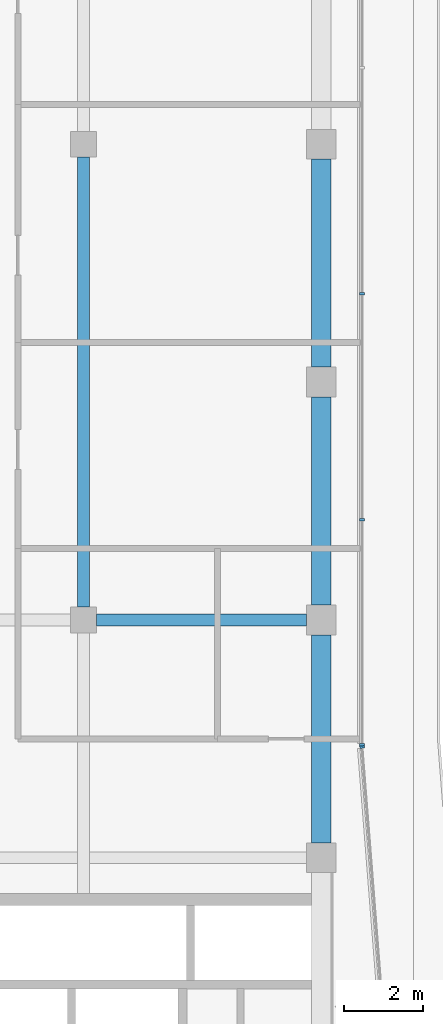
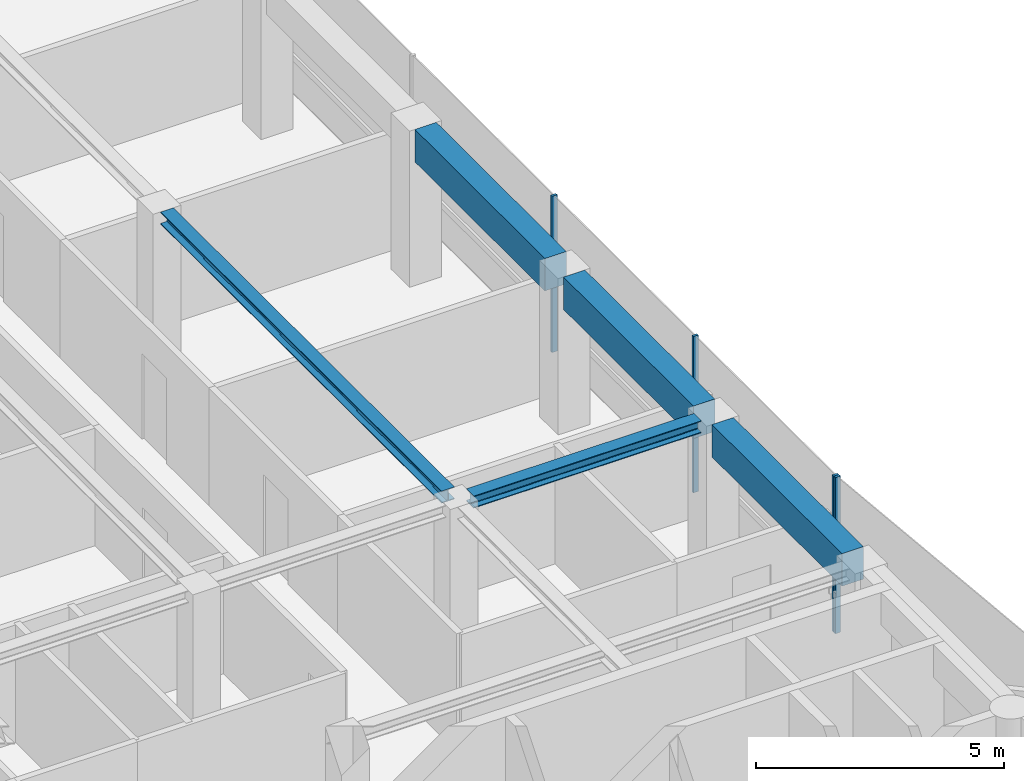
# One storey, part 8 of 23: 5 beams, 4 members, 2 elements without a shape of their own.
"""IFC4 building model written with IfcOpenShell, lengths in metres."""

from ifc_helpers import new_model, si_unit, direction, frame, origin, origin_2d, place, context, subcontext, project, spatial, rectangle, i_section, extrude, material, layer, layer_set, material_profile, profile_set, type_object, element, aggregate, save


model = new_model("IFC4")

# Units and contexts
model_context = context("Model", 3, precision=1e-05, world=origin(), true_north=direction((0.0, 1.0)))
body_context = subcontext(model_context, "Body", "Model", "MODEL_VIEW")
ifc_project = project(units=[si_unit("LENGTHUNIT", "METRE"), si_unit("AREAUNIT", "SQUARE_METRE"), si_unit("VOLUMEUNIT", "CUBIC_METRE"), si_unit("PLANEANGLEUNIT", "RADIAN"), si_unit("MASSUNIT", "GRAM", prefix="KILO")], contexts=[model_context])

# Site, building, storey
site_placement = place(None, origin())
site = spatial("IfcSite", under=ifc_project, at=site_placement, CompositionType="ELEMENT")
building_placement = place(site_placement, origin())
building = spatial("IfcBuilding", under=site, at=building_placement, Name="Welwitschia Terrace Campus", CompositionType="ELEMENT")
storey_placement = place(building_placement, frame((0.0, 0.0, 306.199951171875)))
storey = spatial("IfcBuildingStorey", under=building, at=storey_placement, Name="L68", CompositionType="ELEMENT", Elevation=306.199951171875)

# Beams
ifc_material_1 = material(Name="Steel S355", Category="steel")
ifc_material_profile_1 = material_profile(ifc_material_1, i_section(OverallWidth=0.300048828125, OverallDepth=0.300048828125, WebThickness=0.010986328125, FlangeThickness=0.01904296875, FilletRadius=0.027099609375, at=origin_2d()))
ifc_profile_set_1 = profile_set([ifc_material_profile_1], Name="Steel S355")
beam_type_1 = type_object("IfcBeamType", Name="Interior girder HE 300 B", PredefinedType="BEAM", material=ifc_profile_set_1)
beam_1_placement = place(storey_placement, frame((18.325439453125, 32.0, 3.699951171875), z_axis=(1.0, 0.0, 0.0), x_axis=(0.0, 1.0, 0.0)))
element("IfcBeam", 1, at=beam_1_placement, inside=storey, type_object=beam_type_1, Name="Girder GB6", PredefinedType="BEAM", context=body_context, shape_type="SweptSolid", body=[
    extrude(i_section(OverallWidth=0.300048828125, OverallDepth=0.300048828125, WebThickness=0.010986328125, FlangeThickness=0.01904296875, FilletRadius=0.027099609375, at=origin_2d()), origin(), (0.0, 0.0, 1.0), 5.30908203125),
])
beam_2_placement = place(storey_placement, frame((18.0, 32.325439453125, 3.699951171875), z_axis=(0.0, 1.0, 0.0), x_axis=(-1.0, 0.0, 0.0)))
element("IfcBeam", 2, at=beam_2_placement, inside=storey, type_object=beam_type_1, Name="Girder GB6", PredefinedType="BEAM", context=body_context, shape_type="SweptSolid", body=[
    extrude(i_section(OverallWidth=0.300048828125, OverallDepth=0.300048828125, WebThickness=0.010986328125, FlangeThickness=0.01904296875, FilletRadius=0.027099609375, at=origin_2d()), origin(), (0.0, 0.0, 1.0), 11.34912109375),
])

# Curtain wall, member
ifc_material_2 = material(Name="Bronze anodised aluminium", Category="aluminium")
ifc_layer = layer(ifc_material_2, 0.1201171875)
ifc_layer_set = layer_set([ifc_layer], Name="Bronze anodised aluminium")
curtain_wall_type = type_object("IfcCurtainWallType", Name="Curtain wall CW2 tower 6000", PredefinedType="NOTDEFINED", material=ifc_layer_set)
curtain_wall_1_placement = place(storey_placement, origin())
curtain_wall_1 = element("IfcCurtainWall", 3, at=curtain_wall_1_placement, inside=storey, type_object=curtain_wall_type, Name="CW L68.6.0", PredefinedType="NOTDEFINED")
ifc_material_3 = material(Name="Bronze anodised aluminium", Category="aluminium")
ifc_material_profile_2 = material_profile(ifc_material_3, rectangle(XDim=0.1201171875, YDim=0.06005859375, at=origin_2d()))
ifc_profile_set_2 = profile_set([ifc_material_profile_2], Name="Bronze anodised aluminium")
member_type = type_object("IfcMemberType", Name="Mullion 60x120", PredefinedType="MULLION", material=ifc_profile_set_2)
member_1_placement = place(storey_placement, frame((25.032470703125, 28.792724609375, 0.0), z_axis=(0.0, 0.0, 1.0), x_axis=(-0.996917333733, -0.078459095728, 0.0)))
member_1 = element("IfcMember", 4, at=member_1_placement, type_object=member_type, Name="Mullion L68.6.0.1", PredefinedType="MULLION", context=body_context, shape_type="SweptSolid", body=[
    extrude(rectangle(XDim=0.1201171875, YDim=0.06005859375, at=origin_2d()), origin(), (0.0, 0.0, 1.0), 3.85009765625),
])
aggregate(curtain_wall_1, [member_1])

# Curtain wall, members
curtain_wall_2_placement = place(storey_placement, origin())
curtain_wall_2 = element("IfcCurtainWall", 5, at=curtain_wall_2_placement, inside=storey, type_object=curtain_wall_type, Name="CW L68.7.0", PredefinedType="NOTDEFINED")
member_2_placement = place(storey_placement, frame((25.030029296875, 28.8525390625, 0.0), z_axis=(0.0, 0.0, 1.0), x_axis=(-1.0, 0.0, 0.0)))
member_2 = element("IfcMember", 6, at=member_2_placement, type_object=member_type, Name="Mullion L68.7.0.0", PredefinedType="MULLION", context=body_context, shape_type="SweptSolid", body=[
    extrude(rectangle(XDim=0.1201171875, YDim=0.06005859375, at=origin_2d()), origin(), (0.0, 0.0, 1.0), 3.85009765625),
])
member_3_placement = place(storey_placement, frame((25.030029296875, 34.523681640625, 0.0), z_axis=(0.0, 0.0, 1.0), x_axis=(-1.0, 0.0, 0.0)))
member_3 = element("IfcMember", 7, at=member_3_placement, type_object=member_type, Name="Mullion L68.7.0.1", PredefinedType="MULLION", context=body_context, shape_type="SweptSolid", body=[
    extrude(rectangle(XDim=0.1201171875, YDim=0.06005859375, at=origin_2d()), origin(), (0.0, 0.0, 1.0), 3.85009765625),
])
member_4_placement = place(storey_placement, frame((25.030029296875, 40.22509765625, 0.0), z_axis=(0.0, 0.0, 1.0), x_axis=(-1.0, 0.0, 0.0)))
member_4 = element("IfcMember", 8, at=member_4_placement, type_object=member_type, Name="Mullion L68.7.0.2", PredefinedType="MULLION", context=body_context, shape_type="SweptSolid", body=[
    extrude(rectangle(XDim=0.1201171875, YDim=0.06005859375, at=origin_2d()), origin(), (0.0, 0.0, 1.0), 3.85009765625),
])
aggregate(curtain_wall_2, [member_2, member_3, member_4])

# Beams
ifc_material_4 = material(Name="Concrete C50/60", Category="concrete")
ifc_material_profile_3 = material_profile(ifc_material_4, rectangle(XDim=0.5, YDim=0.800048828125, at=origin_2d()))
ifc_profile_set_3 = profile_set([ifc_material_profile_3], Name="Concrete C50/60")
beam_type_2 = type_object("IfcBeamType", Name="Ring spandrel 500x800", PredefinedType="SPANDREL", material=ifc_profile_set_3)
for number, where, z_axis, x_axis, name in (
    (9, (24.0, 26.37548828125, 3.449951171875), (0.0, 1.0, 0.0), (-1.0, 0.0, 0.0), "Spandrel SP4"),
    (10, (24.0, 32.37548828125, 3.449951171875), (0.0, 1.0, 0.0), (-1.0, 0.0, 0.0), "Spandrel SP4"),
    (11, (24.0, 38.37548828125, 3.449951171875), (0.0, 1.0, 0.0), (-1.0, 0.0, 0.0), "Spandrel SP4"),
):
    element("IfcBeam", number, at=place(storey_placement, frame(where, z_axis=z_axis, x_axis=x_axis)), inside=storey, type_object=beam_type_2, Name=name, PredefinedType="SPANDREL", context=body_context, shape_type="SweptSolid", body=[
        extrude(rectangle(XDim=0.5, YDim=0.800048828125, at=origin_2d()), origin(), (0.0, 0.0, 1.0), 5.2490234375),
    ])

save(model, "model.ifc")
